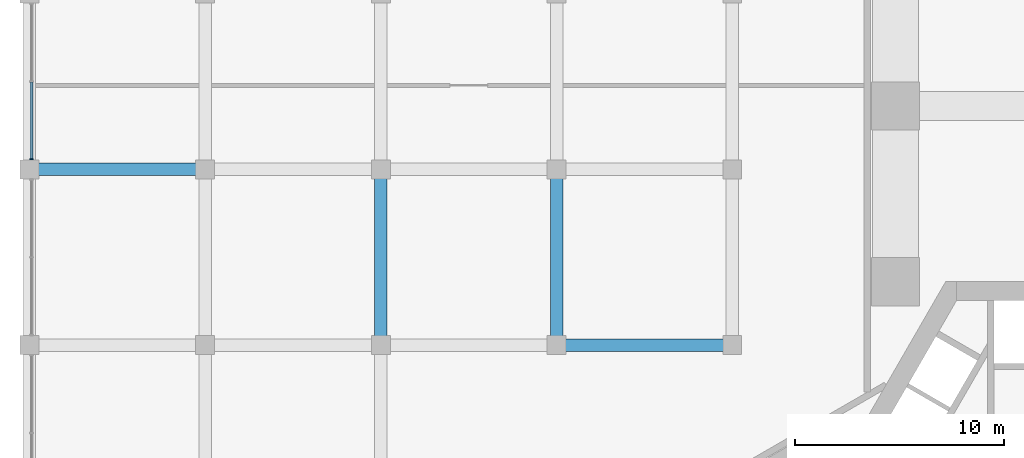
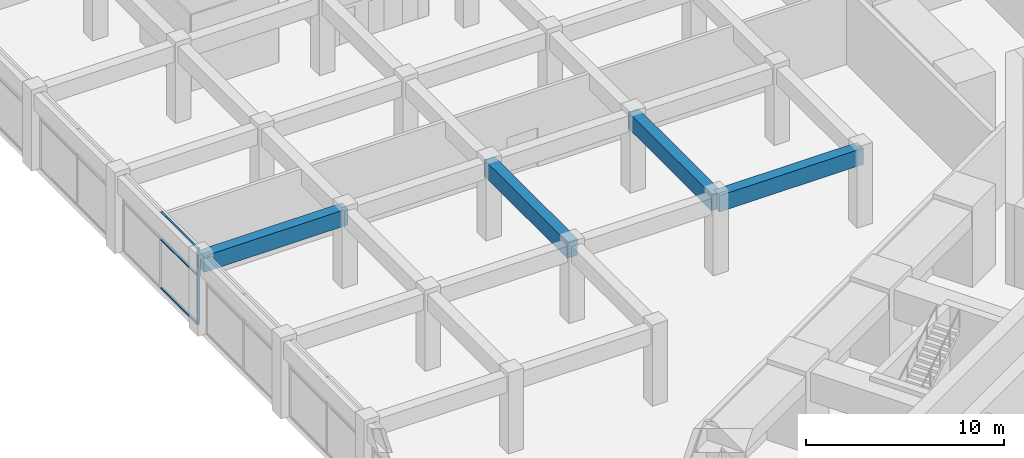
# One storey, part 8 of 34: 4 beams, 4 members, 1 element without a shape of its own.
"""IFC4 building model written with IfcOpenShell, lengths in metres."""

import ifcopenshell
import ifcopenshell.guid

model = None  # the IFC model being written
_history = None  # IfcOwnerHistory: only IFC2X3 demands one
_inside = {}  # id of a spatial element -> (the spatial element, [elements in it])
_under = {}  # id of a project, library or spatial element -> (it, [spatial elements below it])
_declared = {}  # id of a project -> (the project, [libraries it declares])
_typed = {}  # id of a type object -> (the type object, [elements of that type])
_made_of = {}  # id of a material, layer set ... -> (it, [elements and type objects made of it])


def new_model(schema):
    """Start an empty IFC model of exactly this schema.

    Asked for "IFC4X3", IfcOpenShell would pick the latest addendum, in which some entities
    have other attributes; the version numbers below select the first issue.
    IFC2X3 requires an IfcOwnerHistory on every rooted entity: one is made here for all.
    """
    global model, _history
    if schema == "IFC4X3":
        model = ifcopenshell.file(schema_version=(4, 3, 0, 0))
    else:
        model = ifcopenshell.file(schema=schema)
    _inside.clear()
    _under.clear()
    _declared.clear()
    _typed.clear()
    _made_of.clear()
    _history = None
    if model.schema == "IFC2X3":
        org = make("IfcOrganization", Name="unknown")
        user = make(
            "IfcPersonAndOrganization",
            ThePerson=make("IfcPerson", FamilyName="unknown"),
            TheOrganization=org,
        )
        app = make(
            "IfcApplication",
            ApplicationDeveloper=org,
            Version="unknown",
            ApplicationFullName="unknown",
            ApplicationIdentifier="unknown",
        )
        _history = make(
            "IfcOwnerHistory",
            OwningUser=user,
            OwningApplication=app,
            ChangeAction="ADDED",
            CreationDate=0,
        )
    return model


def make(cls, **values):
    """One entity of the class cls with the attributes given. An attribute that is None is left unset."""
    return model.create_entity(
        cls, **{name: value for name, value in values.items() if value is not None}
    )


def rooted(cls, **values):
    """An entity with a GlobalId (a new one), such as an element, a storey or a relation."""
    return make(cls, GlobalId=ifcopenshell.guid.new(), OwnerHistory=_history, **values)


def si_unit(unit_type, name, prefix=None):
    """IfcSIUnit, for example si_unit("LENGTHUNIT", "METRE", prefix="MILLI")."""
    return make("IfcSIUnit", UnitType=unit_type, Prefix=prefix, Name=name)


def assignment(units):
    """IfcUnitAssignment: the units of a project."""
    return None if units is None else make("IfcUnitAssignment", Units=units)


def point(xyz):
    """IfcCartesianPoint."""
    return None if xyz is None else make("IfcCartesianPoint", Coordinates=xyz)


def direction(xyz):
    """IfcDirection."""
    return None if xyz is None else make("IfcDirection", DirectionRatios=xyz)


def frame(location, z_axis=None, x_axis=None):
    """IfcAxis2Placement3D, a coordinate frame: its origin and axes. An axis left out is left unset."""
    return make(
        "IfcAxis2Placement3D",
        Location=point(location),
        Axis=direction(z_axis),
        RefDirection=direction(x_axis),
    )


def frame_2d(location, x_axis=None):
    """IfcAxis2Placement2D, a coordinate frame in the plane: its origin and x axis."""
    return make(
        "IfcAxis2Placement2D", Location=point(location), RefDirection=direction(x_axis)
    )


def origin():
    """The frame at (0, 0, 0) with its axes left unset."""
    return frame((0.0, 0.0, 0.0))


def origin_2d():
    """The frame at (0, 0) in the plane with its x axis left unset."""
    return frame_2d((0.0, 0.0))


def place(relative_to, where):
    """IfcLocalPlacement: puts the frame where relative to a parent placement (None: the world)."""
    return make(
        "IfcLocalPlacement", PlacementRelTo=relative_to, RelativePlacement=where
    )


def context(
    kind, dimensions, precision=None, world=None, true_north=None, identifier=None
):
    """IfcGeometricRepresentationContext, for example the 3D "Model" context."""
    return make(
        "IfcGeometricRepresentationContext",
        ContextIdentifier=identifier,
        ContextType=kind,
        CoordinateSpaceDimension=dimensions,
        Precision=precision,
        WorldCoordinateSystem=world,
        TrueNorth=true_north,
    )


def subcontext(parent, identifier, kind, view, scale=None):
    """IfcGeometricRepresentationSubContext, for example "Body" below "Model"."""
    return make(
        "IfcGeometricRepresentationSubContext",
        ContextIdentifier=identifier,
        ContextType=kind,
        ParentContext=parent,
        TargetScale=scale,
        TargetView=view,
    )


def project(units=None, contexts=None):
    """IfcProject with its units and contexts."""
    return rooted(
        "IfcProject",
        Name="project",
        RepresentationContexts=contexts,
        UnitsInContext=assignment(units),
    )


def spatial(cls, under=None, at=None, **own):
    """A site, building, storey or space (cls), placed at a placement, below another one or the project."""
    s = rooted(cls, ObjectPlacement=at, **own)
    if under is not None:
        _under.setdefault(under.id(), (under, []))[1].append(s)
    return s


def profile(cls, at=None, kind="AREA", **sizes):
    """A parametric profile (cls). Its sizes go by their IFC names, for example OverallWidth=200.0."""
    return make(cls, ProfileType=kind, Position=at, **sizes)


def rectangle(**sizes):
    """IfcRectangleProfileDef."""
    return profile("IfcRectangleProfileDef", **sizes)


def extrude(swept, where, along, depth):
    """IfcExtrudedAreaSolid: the profile swept, set in the frame where, extruded along a direction by depth."""
    return make(
        "IfcExtrudedAreaSolid",
        SweptArea=swept,
        Position=where,
        ExtrudedDirection=direction(along),
        Depth=depth,
    )


def shape(context_of_items, identifier, shape_type, items):
    """IfcShapeRepresentation: the items that make up one representation, for example the "Body"."""
    return make(
        "IfcShapeRepresentation",
        ContextOfItems=context_of_items,
        RepresentationIdentifier=identifier,
        RepresentationType=shape_type,
        Items=items,
    )


def material(Name=None, Category=None):
    """IfcMaterial."""
    return make("IfcMaterial", Name=Name, Category=Category)


def material_profile(
    of_material, cross_section, Name=None, Category=None, Priority=None
):
    """IfcMaterialProfile: a cross section and its material."""
    return make(
        "IfcMaterialProfile",
        Name=Name,
        Material=of_material,
        Profile=cross_section,
        Priority=Priority,
        Category=Category,
    )


def profile_set(profiles, Name=None, composite=None):
    """IfcMaterialProfileSet."""
    return make(
        "IfcMaterialProfileSet",
        Name=Name,
        MaterialProfiles=profiles,
        CompositeProfile=composite,
    )


def made_of(thing, what):
    """Note that an element or type object is made of a material, layer set ...; save() writes the relation."""
    if what is not None:
        _made_of.setdefault(what.id(), (what, []))[1].append(thing)
    return thing


def type_object(cls, material=None, **own):
    """A type object (cls), such as IfcWallType, which elements share."""
    return made_of(rooted(cls, **own), material)


def element(
    cls,
    number,
    at=None,
    inside=None,
    cuts=None,
    type_object=None,
    material=None,
    context=None,
    identifier="Body",
    shape_type=None,
    held_by="IfcProductDefinitionShape",
    body=None,
    shapes=None,
    **own,
):
    """One element of the class cls, such as IfcWall. Its Tag is "e" and its number.

    at: its placement. inside: the storey or other place that contains it. cuts: it is an
    opening in that element (IfcRelVoidsElement). A single representation is given by context,
    identifier, shape_type and body (its items); several are given by shapes. held_by: the class
    of the entity that holds the representations. save() writes the other relations.
    """
    e = rooted(cls, Tag="e%d" % number, ObjectPlacement=at, **own)
    if body is not None:
        shapes = [shape(context, identifier, shape_type, body)]
    if shapes is not None:
        e.Representation = make(held_by, Representations=shapes)
    if inside is not None:
        _inside.setdefault(inside.id(), (inside, []))[1].append(e)
    if cuts is not None:
        rooted(
            "IfcRelVoidsElement", RelatingBuildingElement=cuts, RelatedOpeningElement=e
        )
    if type_object is not None:
        _typed.setdefault(type_object.id(), (type_object, []))[1].append(e)
    return made_of(e, material)


def aggregate(whole, parts):
    """IfcRelAggregates: a whole, such as a stair, and the parts it consists of."""
    return rooted("IfcRelAggregates", RelatingObject=whole, RelatedObjects=parts)


def save(model, path):
    """Write the relations noted so far, then the file.

    IfcRelAggregates (storeys below a building ...), IfcRelContainedInSpatialStructure (elements
    in a storey), IfcRelDefinesByType, IfcRelAssociatesMaterial and IfcRelDeclares: one each for
    every whole, place, type object, material and project.
    """
    for whole, parts in _under.values():
        aggregate(whole, parts)
    for where, things in _inside.values():
        rooted(
            "IfcRelContainedInSpatialStructure",
            RelatedElements=things,
            RelatingStructure=where,
        )
    for kind, things in _typed.values():
        rooted("IfcRelDefinesByType", RelatedObjects=things, RelatingType=kind)
    for what, things in _made_of.values():
        rooted("IfcRelAssociatesMaterial", RelatedObjects=things, RelatingMaterial=what)
    for by, libraries in _declared.values():
        rooted("IfcRelDeclares", RelatingContext=by, RelatedDefinitions=libraries)
    model.write(path)


model = new_model("IFC4")

# Units and contexts
model_context = context("Model", 3, precision=1e-05, world=origin(), true_north=direction((0.0, 1.0)))
body_context = subcontext(model_context, "Body", "Model", "MODEL_VIEW")
ifc_project = project(units=[si_unit("LENGTHUNIT", "METRE"), si_unit("AREAUNIT", "SQUARE_METRE"), si_unit("VOLUMEUNIT", "CUBIC_METRE"), si_unit("PLANEANGLEUNIT", "RADIAN"), si_unit("MASSUNIT", "GRAM", prefix="KILO")], contexts=[model_context])

# Site, building, storey
site_placement = place(None, origin())
site = spatial("IfcSite", under=ifc_project, at=site_placement, CompositionType="ELEMENT")
building_placement = place(site_placement, origin())
building = spatial("IfcBuilding", under=site, at=building_placement, Name="Impinga Residences", CompositionType="ELEMENT")
storey_placement = place(building_placement, frame((0.0, 0.0, 11.0)))
storey = spatial("IfcBuildingStorey", under=building, at=storey_placement, Name="L02", CompositionType="ELEMENT", Elevation=11.0)

# Curtain wall, members
ifc_material_1 = material(Name="Aluminium stick curtain wall", Category="aluminium")
curtain_wall_type = type_object("IfcCurtainWallType", Name="CW1 podium amenity curtain wall", PredefinedType="USERDEFINED", material=ifc_material_1)
curtain_wall_placement = place(storey_placement, origin())
curtain_wall = element("IfcCurtainWall", 1, at=curtain_wall_placement, inside=storey, type_object=curtain_wall_type, Name="Curtain wall CW1 L02", ObjectType="STICK CURTAIN WALL", PredefinedType="USERDEFINED")
ifc_material_2 = material(Name="Aluminium mullion", Category="aluminium")
ifc_material_profile_1 = material_profile(ifc_material_2, rectangle(XDim=0.06005859375, YDim=0.179931640625, at=origin_2d()), Name="60x180 mullion")
ifc_profile_set_1 = profile_set([ifc_material_profile_1], Name="Aluminium mullion")
member_type_1 = type_object("IfcMemberType", Name="CW1-M mullion 60x180", PredefinedType="MULLION", material=ifc_profile_set_1)
member_1_placement = place(storey_placement, frame((-50.300048828125, 17.282958984375, 0.0), z_axis=(0.0, 0.0, 1.0), x_axis=(0.0, 1.0, 0.0)))
member_1 = element("IfcMember", 2, at=member_1_placement, type_object=member_type_1, Name="CW1 mullion 1", PredefinedType="MULLION", context=body_context, shape_type="SweptSolid", body=[
    extrude(rectangle(XDim=0.06005859375, YDim=0.179931640625, at=origin_2d()), origin(), (0.0, 0.0, 1.0), 4.699951171875),
])
ifc_material_3 = material(Name="Aluminium transom", Category="aluminium")
ifc_material_profile_2 = material_profile(ifc_material_3, rectangle(XDim=0.06005859375, YDim=0.1201171875, at=origin_2d()), Name="60x120 transom")
ifc_profile_set_2 = profile_set([ifc_material_profile_2], Name="Aluminium transom")
member_type_2 = type_object("IfcMemberType", Name="CW1-T transom 60x120", PredefinedType="USERDEFINED", material=ifc_profile_set_2)
member_2_placement = place(storey_placement, frame((-50.300048828125, 17.31298828125, 0.030029296875), z_axis=(0.0, 1.0, 0.0), x_axis=(0.0, 0.0, 1.0)))
member_2 = element("IfcMember", 3, at=member_2_placement, type_object=member_type_2, Name="CW1 transom 1.1", ObjectType="TRANSOM", PredefinedType="USERDEFINED", context=body_context, shape_type="SweptSolid", body=[
    extrude(rectangle(XDim=0.06005859375, YDim=0.1201171875, at=origin_2d()), origin(), (0.0, 0.0, 1.0), 3.656982421875),
])
member_3_placement = place(storey_placement, frame((-50.300048828125, 17.31298828125, 3.0), z_axis=(0.0, 1.0, 0.0), x_axis=(0.0, 0.0, 1.0)))
member_3 = element("IfcMember", 4, at=member_3_placement, type_object=member_type_2, Name="CW1 transom 1.2", ObjectType="TRANSOM", PredefinedType="USERDEFINED", context=body_context, shape_type="SweptSolid", body=[
    extrude(rectangle(XDim=0.06005859375, YDim=0.1201171875, at=origin_2d()), origin(), (0.0, 0.0, 1.0), 3.656982421875),
])
member_4_placement = place(storey_placement, frame((-50.300048828125, 17.31298828125, 4.669921875), z_axis=(0.0, 1.0, 0.0), x_axis=(0.0, 0.0, 1.0)))
member_4 = element("IfcMember", 5, at=member_4_placement, type_object=member_type_2, Name="CW1 transom 1.3", ObjectType="TRANSOM", PredefinedType="USERDEFINED", context=body_context, shape_type="SweptSolid", body=[
    extrude(rectangle(XDim=0.06005859375, YDim=0.1201171875, at=origin_2d()), origin(), (0.0, 0.0, 1.0), 3.656982421875),
])
aggregate(curtain_wall, [member_1, member_2, member_3, member_4])

# Beams
ifc_material_4 = material(Name="Concrete C60/75", Category="concrete")
ifc_material_profile_3 = material_profile(ifc_material_4, rectangle(XDim=0.60009765625, YDim=1.0, at=origin_2d()), Name="RC 600x1000")
ifc_profile_set_3 = profile_set([ifc_material_profile_3], Name="Concrete C60/75")
beam_type = type_object("IfcBeamType", Name="PB2 600x1000 podium beam", PredefinedType="BEAM", material=ifc_profile_set_3)
for number, where, z_axis, x_axis, name in (
    (6, (-25.199951171875, 8.39990234375, 4.199951171875), (1.0, 0.0, 0.0), (0.0, 1.0, 0.0), "Beam PB2 G/4-5 level L03"),
    (7, (-50.39990234375, 16.800048828125, 4.199951171875), (1.0, 0.0, 0.0), (0.0, 1.0, 0.0), "Beam PB2 H/1-2 level L03"),
):
    element("IfcBeam", number, at=place(storey_placement, frame(where, z_axis=z_axis, x_axis=x_axis)), inside=storey, type_object=beam_type, Name=name, PredefinedType="BEAM", context=body_context, shape_type="SweptSolid", body=[
        extrude(rectangle(XDim=0.60009765625, YDim=1.0, at=origin_2d()), origin(), (0.0, 0.0, 1.0), 8.39990234375),
    ])
for number, where, z_axis, x_axis, name in (
    (8, (-33.60009765625, 8.39990234375, 4.199951171875), (0.0, 1.0, 0.0), (-1.0, 0.0, 0.0), "Beam PB2 3/G-H level L03"),
    (9, (-25.199951171875, 8.39990234375, 4.199951171875), (0.0, 1.0, 0.0), (-1.0, 0.0, 0.0), "Beam PB2 4/G-H level L03"),
):
    element("IfcBeam", number, at=place(storey_placement, frame(where, z_axis=z_axis, x_axis=x_axis)), inside=storey, type_object=beam_type, Name=name, PredefinedType="BEAM", context=body_context, shape_type="SweptSolid", body=[
        extrude(rectangle(XDim=0.60009765625, YDim=1.0, at=origin_2d()), origin(), (0.0, 0.0, 1.0), 8.400146484375),
    ])

save(model, "model.ifc")
